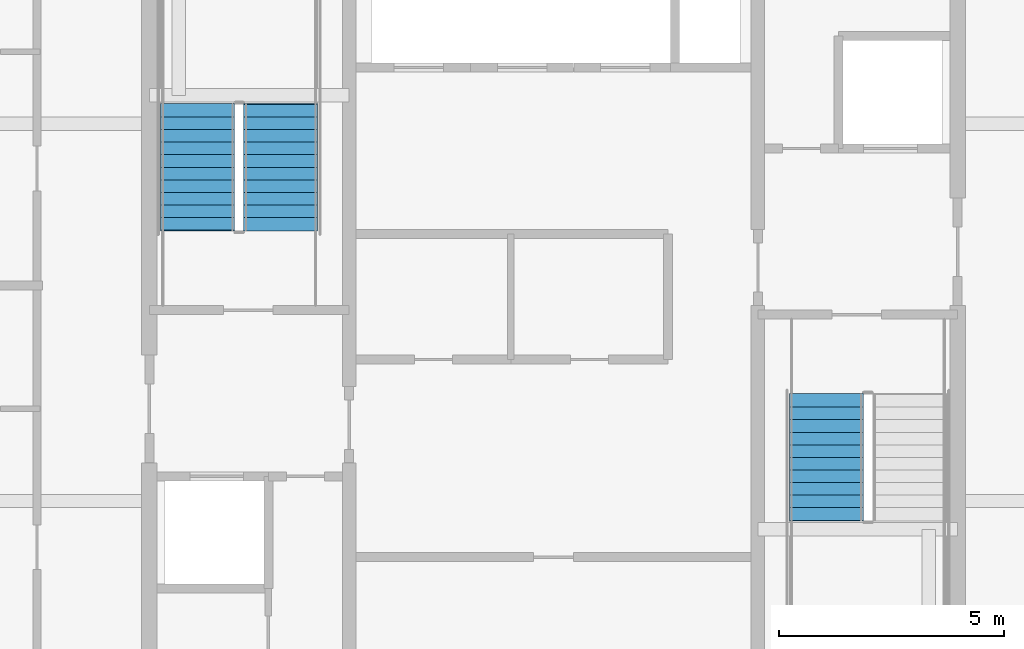
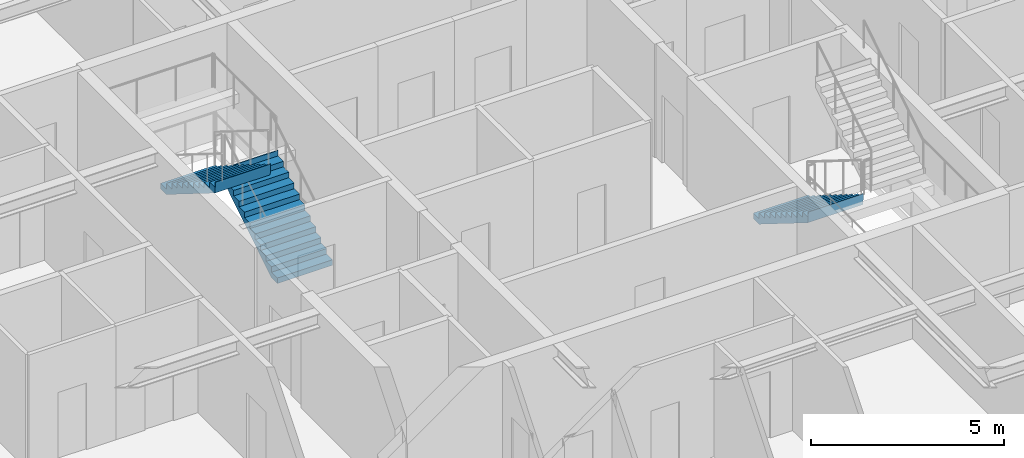
# One storey, part 32 of 38: 3 stair flights, 2 elements without a shape of their own.
"""IFC4 building model written with IfcOpenShell, lengths in metres."""

from ifc_helpers import new_model, si_unit, direction, frame, origin, place, context, subcontext, project, spatial, polygons, material, type_object, element, aggregate, save


model = new_model("IFC4")

# Units and contexts
model_context = context("Model", 3, precision=1e-05, world=origin(), true_north=direction((0.0, 1.0)))
body_context = subcontext(model_context, "Body", "Model", "MODEL_VIEW")
ifc_project = project(units=[si_unit("LENGTHUNIT", "METRE"), si_unit("AREAUNIT", "SQUARE_METRE"), si_unit("VOLUMEUNIT", "CUBIC_METRE"), si_unit("PLANEANGLEUNIT", "RADIAN"), si_unit("MASSUNIT", "GRAM", prefix="KILO")], contexts=[model_context])

# Site, building, storey
site_placement = place(None, origin())
site = spatial("IfcSite", under=ifc_project, at=site_placement, CompositionType="ELEMENT")
building_placement = place(site_placement, origin())
building = spatial("IfcBuilding", under=site, at=building_placement, Name="Serunith Strait Residences", CompositionType="ELEMENT")
storey_placement = place(building_placement, frame((0.0, 0.0, 245.10009765625)))
storey = spatial("IfcBuildingStorey", under=building, at=storey_placement, Name="L61", CompositionType="ELEMENT", Elevation=245.10009765625)

# Stair, stair flights
ifc_material = material(Name="Concrete C50/60", Category="concrete")
stair_type_1 = type_object("IfcStairType", Name="STR-CORE-1", PredefinedType="HALF_TURN_STAIR", material=ifc_material)
stair_1_placement = place(storey_placement, origin())
stair_1 = element("IfcStair", 1, at=stair_1_placement, inside=storey, type_object=stair_type_1, Name="L61 Protected Escape Stair ST-1", PredefinedType="HALF_TURN_STAIR")
stair_flight_type_1 = type_object("IfcStairFlightType", Name="FLT-CORE-1", PredefinedType="STRAIGHT", material=ifc_material)
stair_flight_1_placement = place(storey_placement, frame((26.324951171875, 27.030029296875, 0.0), z_axis=(0.0, 0.0, 1.0), x_axis=(0.0, 1.0, 0.0)))
stair_flight_1 = element("IfcStairFlight", 2, at=stair_flight_1_placement, type_object=stair_flight_type_1, Name="ST-1 flight 1", NumberOfRisers=11, NumberOfTreads=10, PredefinedType="STRAIGHT", RiserHeight=0.175, TreadLength=0.28, context=body_context, shape_type="Tessellation", body=[
    polygons([(-0.02001953125, -0.824951171875, 0.0), (-0.02001953125, -0.824951171875, 0.175048828125), (0.280029296875, -0.824951171875, 0.175048828125), (0.280029296875, -0.824951171875, 0.35009765625), (0.56005859375, -0.824951171875, 0.35009765625), (0.56005859375, -0.824951171875, 0.52490234375), (0.840087890625, -0.824951171875, 0.52490234375), (0.840087890625, -0.824951171875, 0.699951171875), (1.1201171875, -0.824951171875, 0.699951171875), (1.1201171875, -0.824951171875, 0.875), (1.39990234375, -0.824951171875, 0.875), (1.39990234375, -0.824951171875, 1.050048828125), (1.679931640625, -0.824951171875, 1.050048828125), (1.679931640625, -0.824951171875, 1.22509765625), (1.9599609375, -0.824951171875, 1.22509765625), (1.9599609375, -0.824951171875, 1.39990234375), (2.239990234375, -0.824951171875, 1.39990234375), (2.239990234375, -0.824951171875, 1.574951171875), (2.52001953125, -0.824951171875, 1.574951171875), (2.52001953125, -0.824951171875, 1.75), (2.800048828125, -0.824951171875, 1.75), (2.800048828125, -0.824951171875, 1.925048828125), (2.820068359375, -0.824951171875, 1.925048828125), (2.820068359375, -0.824951171875, 1.864990234375), (2.800048828125, -0.824951171875, 1.5732421875), (0.28271484375, -0.824951171875, 0.0), (-0.02001953125, -0.41259765625, 0.0), (-0.02001953125, -0.41259765625, 0.175048828125), (0.280029296875, -0.41259765625, 0.175048828125), (0.280029296875, -0.41259765625, 0.35009765625), (0.56005859375, -0.41259765625, 0.35009765625), (0.56005859375, -0.41259765625, 0.52490234375), (0.840087890625, -0.41259765625, 0.52490234375), (0.840087890625, -0.41259765625, 0.699951171875), (1.1201171875, -0.41259765625, 0.699951171875), (1.1201171875, -0.41259765625, 0.875), (1.39990234375, -0.41259765625, 0.875), (1.39990234375, -0.41259765625, 1.050048828125), (1.679931640625, -0.41259765625, 1.050048828125), (1.679931640625, -0.41259765625, 1.22509765625), (1.9599609375, -0.41259765625, 1.22509765625), (1.9599609375, -0.41259765625, 1.39990234375), (2.239990234375, -0.41259765625, 1.39990234375), (2.239990234375, -0.41259765625, 1.574951171875), (2.52001953125, -0.41259765625, 1.574951171875), (2.52001953125, -0.41259765625, 1.75), (2.800048828125, -0.41259765625, 1.75), (2.800048828125, -0.41259765625, 1.925048828125), (2.820068359375, -0.41259765625, 1.925048828125), (2.820068359375, -0.41259765625, 1.864990234375), (2.800048828125, -0.41259765625, 1.5732421875), (0.28271484375, -0.41259765625, 0.0), (-0.02001953125, 0.0, 0.0), (-0.02001953125, 0.0, 0.175048828125), (0.280029296875, 0.0, 0.175048828125), (0.280029296875, 0.0, 0.35009765625), (0.56005859375, 0.0, 0.35009765625), (0.56005859375, 0.0, 0.52490234375), (0.840087890625, 0.0, 0.52490234375), (0.840087890625, 0.0, 0.699951171875), (1.1201171875, 0.0, 0.699951171875), (1.1201171875, 0.0, 0.875), (1.39990234375, 0.0, 0.875), (1.39990234375, 0.0, 1.050048828125), (1.679931640625, 0.0, 1.050048828125), (1.679931640625, 0.0, 1.22509765625), (1.9599609375, 0.0, 1.22509765625), (1.9599609375, 0.0, 1.39990234375), (2.239990234375, 0.0, 1.39990234375), (2.239990234375, 0.0, 1.574951171875), (2.52001953125, 0.0, 1.574951171875), (2.52001953125, 0.0, 1.75), (2.800048828125, 0.0, 1.75), (2.800048828125, 0.0, 1.925048828125), (2.820068359375, 0.0, 1.925048828125), (2.820068359375, 0.0, 1.864990234375), (2.800048828125, 0.0, 1.5732421875), (0.28271484375, 0.0, 0.0), (-0.02001953125, 0.41259765625, 0.0), (-0.02001953125, 0.41259765625, 0.175048828125), (0.280029296875, 0.41259765625, 0.175048828125), (0.280029296875, 0.41259765625, 0.35009765625), (0.56005859375, 0.41259765625, 0.35009765625), (0.56005859375, 0.41259765625, 0.52490234375), (0.840087890625, 0.41259765625, 0.52490234375), (0.840087890625, 0.41259765625, 0.699951171875), (1.1201171875, 0.41259765625, 0.699951171875), (1.1201171875, 0.41259765625, 0.875), (1.39990234375, 0.41259765625, 0.875), (1.39990234375, 0.41259765625, 1.050048828125), (1.679931640625, 0.41259765625, 1.050048828125), (1.679931640625, 0.41259765625, 1.22509765625), (1.9599609375, 0.41259765625, 1.22509765625), (1.9599609375, 0.41259765625, 1.39990234375), (2.239990234375, 0.41259765625, 1.39990234375), (2.239990234375, 0.41259765625, 1.574951171875), (2.52001953125, 0.41259765625, 1.574951171875), (2.52001953125, 0.41259765625, 1.75), (2.800048828125, 0.41259765625, 1.75), (2.800048828125, 0.41259765625, 1.925048828125), (2.820068359375, 0.41259765625, 1.925048828125), (2.820068359375, 0.41259765625, 1.864990234375), (2.800048828125, 0.41259765625, 1.5732421875), (0.28271484375, 0.41259765625, 0.0), (-0.02001953125, 0.824951171875, 0.0), (-0.02001953125, 0.824951171875, 0.175048828125), (0.280029296875, 0.824951171875, 0.175048828125), (0.280029296875, 0.824951171875, 0.35009765625), (0.56005859375, 0.824951171875, 0.35009765625), (0.56005859375, 0.824951171875, 0.52490234375), (0.840087890625, 0.824951171875, 0.52490234375), (0.840087890625, 0.824951171875, 0.699951171875), (1.1201171875, 0.824951171875, 0.699951171875), (1.1201171875, 0.824951171875, 0.875), (1.39990234375, 0.824951171875, 0.875), (1.39990234375, 0.824951171875, 1.050048828125), (1.679931640625, 0.824951171875, 1.050048828125), (1.679931640625, 0.824951171875, 1.22509765625), (1.9599609375, 0.824951171875, 1.22509765625), (1.9599609375, 0.824951171875, 1.39990234375), (2.239990234375, 0.824951171875, 1.39990234375), (2.239990234375, 0.824951171875, 1.574951171875), (2.52001953125, 0.824951171875, 1.574951171875), (2.52001953125, 0.824951171875, 1.75), (2.800048828125, 0.824951171875, 1.75), (2.800048828125, 0.824951171875, 1.925048828125), (2.820068359375, 0.824951171875, 1.925048828125), (2.820068359375, 0.824951171875, 1.864990234375), (2.800048828125, 0.824951171875, 1.5732421875), (0.28271484375, 0.824951171875, 0.0)], [[[1, 2, 28, 27]], [[2, 3, 29, 28]], [[3, 4, 30, 29]], [[4, 5, 31, 30]], [[5, 6, 32, 31]], [[6, 7, 33, 32]], [[7, 8, 34, 33]], [[8, 9, 35, 34]], [[9, 10, 36, 35]], [[10, 11, 37, 36]], [[11, 12, 38, 37]], [[12, 13, 39, 38]], [[13, 14, 40, 39]], [[14, 15, 41, 40]], [[15, 16, 42, 41]], [[16, 17, 43, 42]], [[17, 18, 44, 43]], [[18, 19, 45, 44]], [[19, 20, 46, 45]], [[20, 21, 47, 46]], [[21, 22, 48, 47]], [[22, 23, 49, 48]], [[23, 24, 50, 49]], [[24, 25, 51, 50]], [[25, 26, 52, 51]], [[26, 1, 27, 52]], [[27, 28, 54, 53]], [[28, 29, 55, 54]], [[29, 30, 56, 55]], [[30, 31, 57, 56]], [[31, 32, 58, 57]], [[32, 33, 59, 58]], [[33, 34, 60, 59]], [[34, 35, 61, 60]], [[35, 36, 62, 61]], [[36, 37, 63, 62]], [[37, 38, 64, 63]], [[38, 39, 65, 64]], [[39, 40, 66, 65]], [[40, 41, 67, 66]], [[41, 42, 68, 67]], [[42, 43, 69, 68]], [[43, 44, 70, 69]], [[44, 45, 71, 70]], [[45, 46, 72, 71]], [[46, 47, 73, 72]], [[47, 48, 74, 73]], [[48, 49, 75, 74]], [[49, 50, 76, 75]], [[50, 51, 77, 76]], [[51, 52, 78, 77]], [[52, 27, 53, 78]], [[53, 54, 80, 79]], [[54, 55, 81, 80]], [[55, 56, 82, 81]], [[56, 57, 83, 82]], [[57, 58, 84, 83]], [[58, 59, 85, 84]], [[59, 60, 86, 85]], [[60, 61, 87, 86]], [[61, 62, 88, 87]], [[62, 63, 89, 88]], [[63, 64, 90, 89]], [[64, 65, 91, 90]], [[65, 66, 92, 91]], [[66, 67, 93, 92]], [[67, 68, 94, 93]], [[68, 69, 95, 94]], [[69, 70, 96, 95]], [[70, 71, 97, 96]], [[71, 72, 98, 97]], [[72, 73, 99, 98]], [[73, 74, 100, 99]], [[74, 75, 101, 100]], [[75, 76, 102, 101]], [[76, 77, 103, 102]], [[77, 78, 104, 103]], [[78, 53, 79, 104]], [[79, 80, 106, 105]], [[80, 81, 107, 106]], [[81, 82, 108, 107]], [[82, 83, 109, 108]], [[83, 84, 110, 109]], [[84, 85, 111, 110]], [[85, 86, 112, 111]], [[86, 87, 113, 112]], [[87, 88, 114, 113]], [[88, 89, 115, 114]], [[89, 90, 116, 115]], [[90, 91, 117, 116]], [[91, 92, 118, 117]], [[92, 93, 119, 118]], [[93, 94, 120, 119]], [[94, 95, 121, 120]], [[95, 96, 122, 121]], [[96, 97, 123, 122]], [[97, 98, 124, 123]], [[98, 99, 125, 124]], [[99, 100, 126, 125]], [[100, 101, 127, 126]], [[101, 102, 128, 127]], [[102, 103, 129, 128]], [[103, 104, 130, 129]], [[104, 79, 105, 130]], [[26, 25, 24, 23, 22, 21, 20, 19, 18, 17, 16, 15, 14, 13, 12, 11, 10, 9, 8, 7, 6, 5, 4, 3, 2, 1]], [[105, 106, 107, 108, 109, 110, 111, 112, 113, 114, 115, 116, 117, 118, 119, 120, 121, 122, 123, 124, 125, 126, 127, 128, 129, 130]]], closed=True),
])
stair_flight_2_placement = place(storey_placement, frame((24.47509765625, 29.830078125, 1.9248046875), z_axis=(0.0, 0.0, 1.0), x_axis=(0.0, -1.0, 0.0)))
stair_flight_2 = element("IfcStairFlight", 3, at=stair_flight_2_placement, type_object=stair_flight_type_1, Name="ST-1 flight 2", NumberOfRisers=11, NumberOfTreads=10, PredefinedType="STRAIGHT", RiserHeight=0.175, TreadLength=0.28, context=body_context, shape_type="Tessellation", body=[
    polygons([(-0.02001953125, -0.824951171875, 0.0), (-0.02001953125, -0.824951171875, 0.175048828125), (0.280029296875, -0.824951171875, 0.175048828125), (0.280029296875, -0.824951171875, 0.35009765625), (0.56005859375, -0.824951171875, 0.35009765625), (0.56005859375, -0.824951171875, 0.52490234375), (0.840087890625, -0.824951171875, 0.52490234375), (0.840087890625, -0.824951171875, 0.699951171875), (1.1201171875, -0.824951171875, 0.699951171875), (1.1201171875, -0.824951171875, 0.875), (1.39990234375, -0.824951171875, 0.875), (1.39990234375, -0.824951171875, 1.050048828125), (1.679931640625, -0.824951171875, 1.050048828125), (1.679931640625, -0.824951171875, 1.22509765625), (1.9599609375, -0.824951171875, 1.22509765625), (1.9599609375, -0.824951171875, 1.39990234375), (2.239990234375, -0.824951171875, 1.39990234375), (2.239990234375, -0.824951171875, 1.574951171875), (2.52001953125, -0.824951171875, 1.574951171875), (2.52001953125, -0.824951171875, 1.75), (2.800048828125, -0.824951171875, 1.75), (2.800048828125, -0.824951171875, 1.925048828125), (2.820068359375, -0.824951171875, 1.925048828125), (2.820068359375, -0.824951171875, 1.864990234375), (2.800048828125, -0.824951171875, 1.5732421875), (0.28271484375, -0.824951171875, 0.0), (-0.02001953125, -0.41259765625, 0.0), (-0.02001953125, -0.41259765625, 0.175048828125), (0.280029296875, -0.41259765625, 0.175048828125), (0.280029296875, -0.41259765625, 0.35009765625), (0.56005859375, -0.41259765625, 0.35009765625), (0.56005859375, -0.41259765625, 0.52490234375), (0.840087890625, -0.41259765625, 0.52490234375), (0.840087890625, -0.41259765625, 0.699951171875), (1.1201171875, -0.41259765625, 0.699951171875), (1.1201171875, -0.41259765625, 0.875), (1.39990234375, -0.41259765625, 0.875), (1.39990234375, -0.41259765625, 1.050048828125), (1.679931640625, -0.41259765625, 1.050048828125), (1.679931640625, -0.41259765625, 1.22509765625), (1.9599609375, -0.41259765625, 1.22509765625), (1.9599609375, -0.41259765625, 1.39990234375), (2.239990234375, -0.41259765625, 1.39990234375), (2.239990234375, -0.41259765625, 1.574951171875), (2.52001953125, -0.41259765625, 1.574951171875), (2.52001953125, -0.41259765625, 1.75), (2.800048828125, -0.41259765625, 1.75), (2.800048828125, -0.41259765625, 1.925048828125), (2.820068359375, -0.41259765625, 1.925048828125), (2.820068359375, -0.41259765625, 1.864990234375), (2.800048828125, -0.41259765625, 1.5732421875), (0.28271484375, -0.41259765625, 0.0), (-0.02001953125, 0.0, 0.0), (-0.02001953125, 0.0, 0.175048828125), (0.280029296875, 0.0, 0.175048828125), (0.280029296875, 0.0, 0.35009765625), (0.56005859375, 0.0, 0.35009765625), (0.56005859375, 0.0, 0.52490234375), (0.840087890625, 0.0, 0.52490234375), (0.840087890625, 0.0, 0.699951171875), (1.1201171875, 0.0, 0.699951171875), (1.1201171875, 0.0, 0.875), (1.39990234375, 0.0, 0.875), (1.39990234375, 0.0, 1.050048828125), (1.679931640625, 0.0, 1.050048828125), (1.679931640625, 0.0, 1.22509765625), (1.9599609375, 0.0, 1.22509765625), (1.9599609375, 0.0, 1.39990234375), (2.239990234375, 0.0, 1.39990234375), (2.239990234375, 0.0, 1.574951171875), (2.52001953125, 0.0, 1.574951171875), (2.52001953125, 0.0, 1.75), (2.800048828125, 0.0, 1.75), (2.800048828125, 0.0, 1.925048828125), (2.820068359375, 0.0, 1.925048828125), (2.820068359375, 0.0, 1.864990234375), (2.800048828125, 0.0, 1.5732421875), (0.28271484375, 0.0, 0.0), (-0.02001953125, 0.41259765625, 0.0), (-0.02001953125, 0.41259765625, 0.175048828125), (0.280029296875, 0.41259765625, 0.175048828125), (0.280029296875, 0.41259765625, 0.35009765625), (0.56005859375, 0.41259765625, 0.35009765625), (0.56005859375, 0.41259765625, 0.52490234375), (0.840087890625, 0.41259765625, 0.52490234375), (0.840087890625, 0.41259765625, 0.699951171875), (1.1201171875, 0.41259765625, 0.699951171875), (1.1201171875, 0.41259765625, 0.875), (1.39990234375, 0.41259765625, 0.875), (1.39990234375, 0.41259765625, 1.050048828125), (1.679931640625, 0.41259765625, 1.050048828125), (1.679931640625, 0.41259765625, 1.22509765625), (1.9599609375, 0.41259765625, 1.22509765625), (1.9599609375, 0.41259765625, 1.39990234375), (2.239990234375, 0.41259765625, 1.39990234375), (2.239990234375, 0.41259765625, 1.574951171875), (2.52001953125, 0.41259765625, 1.574951171875), (2.52001953125, 0.41259765625, 1.75), (2.800048828125, 0.41259765625, 1.75), (2.800048828125, 0.41259765625, 1.925048828125), (2.820068359375, 0.41259765625, 1.925048828125), (2.820068359375, 0.41259765625, 1.864990234375), (2.800048828125, 0.41259765625, 1.5732421875), (0.28271484375, 0.41259765625, 0.0), (-0.02001953125, 0.824951171875, 0.0), (-0.02001953125, 0.824951171875, 0.175048828125), (0.280029296875, 0.824951171875, 0.175048828125), (0.280029296875, 0.824951171875, 0.35009765625), (0.56005859375, 0.824951171875, 0.35009765625), (0.56005859375, 0.824951171875, 0.52490234375), (0.840087890625, 0.824951171875, 0.52490234375), (0.840087890625, 0.824951171875, 0.699951171875), (1.1201171875, 0.824951171875, 0.699951171875), (1.1201171875, 0.824951171875, 0.875), (1.39990234375, 0.824951171875, 0.875), (1.39990234375, 0.824951171875, 1.050048828125), (1.679931640625, 0.824951171875, 1.050048828125), (1.679931640625, 0.824951171875, 1.22509765625), (1.9599609375, 0.824951171875, 1.22509765625), (1.9599609375, 0.824951171875, 1.39990234375), (2.239990234375, 0.824951171875, 1.39990234375), (2.239990234375, 0.824951171875, 1.574951171875), (2.52001953125, 0.824951171875, 1.574951171875), (2.52001953125, 0.824951171875, 1.75), (2.800048828125, 0.824951171875, 1.75), (2.800048828125, 0.824951171875, 1.925048828125), (2.820068359375, 0.824951171875, 1.925048828125), (2.820068359375, 0.824951171875, 1.864990234375), (2.800048828125, 0.824951171875, 1.5732421875), (0.28271484375, 0.824951171875, 0.0)], [[[1, 2, 28, 27]], [[2, 3, 29, 28]], [[3, 4, 30, 29]], [[4, 5, 31, 30]], [[5, 6, 32, 31]], [[6, 7, 33, 32]], [[7, 8, 34, 33]], [[8, 9, 35, 34]], [[9, 10, 36, 35]], [[10, 11, 37, 36]], [[11, 12, 38, 37]], [[12, 13, 39, 38]], [[13, 14, 40, 39]], [[14, 15, 41, 40]], [[15, 16, 42, 41]], [[16, 17, 43, 42]], [[17, 18, 44, 43]], [[18, 19, 45, 44]], [[19, 20, 46, 45]], [[20, 21, 47, 46]], [[21, 22, 48, 47]], [[22, 23, 49, 48]], [[23, 24, 50, 49]], [[24, 25, 51, 50]], [[25, 26, 52, 51]], [[26, 1, 27, 52]], [[27, 28, 54, 53]], [[28, 29, 55, 54]], [[29, 30, 56, 55]], [[30, 31, 57, 56]], [[31, 32, 58, 57]], [[32, 33, 59, 58]], [[33, 34, 60, 59]], [[34, 35, 61, 60]], [[35, 36, 62, 61]], [[36, 37, 63, 62]], [[37, 38, 64, 63]], [[38, 39, 65, 64]], [[39, 40, 66, 65]], [[40, 41, 67, 66]], [[41, 42, 68, 67]], [[42, 43, 69, 68]], [[43, 44, 70, 69]], [[44, 45, 71, 70]], [[45, 46, 72, 71]], [[46, 47, 73, 72]], [[47, 48, 74, 73]], [[48, 49, 75, 74]], [[49, 50, 76, 75]], [[50, 51, 77, 76]], [[51, 52, 78, 77]], [[52, 27, 53, 78]], [[53, 54, 80, 79]], [[54, 55, 81, 80]], [[55, 56, 82, 81]], [[56, 57, 83, 82]], [[57, 58, 84, 83]], [[58, 59, 85, 84]], [[59, 60, 86, 85]], [[60, 61, 87, 86]], [[61, 62, 88, 87]], [[62, 63, 89, 88]], [[63, 64, 90, 89]], [[64, 65, 91, 90]], [[65, 66, 92, 91]], [[66, 67, 93, 92]], [[67, 68, 94, 93]], [[68, 69, 95, 94]], [[69, 70, 96, 95]], [[70, 71, 97, 96]], [[71, 72, 98, 97]], [[72, 73, 99, 98]], [[73, 74, 100, 99]], [[74, 75, 101, 100]], [[75, 76, 102, 101]], [[76, 77, 103, 102]], [[77, 78, 104, 103]], [[78, 53, 79, 104]], [[79, 80, 106, 105]], [[80, 81, 107, 106]], [[81, 82, 108, 107]], [[82, 83, 109, 108]], [[83, 84, 110, 109]], [[84, 85, 111, 110]], [[85, 86, 112, 111]], [[86, 87, 113, 112]], [[87, 88, 114, 113]], [[88, 89, 115, 114]], [[89, 90, 116, 115]], [[90, 91, 117, 116]], [[91, 92, 118, 117]], [[92, 93, 119, 118]], [[93, 94, 120, 119]], [[94, 95, 121, 120]], [[95, 96, 122, 121]], [[96, 97, 123, 122]], [[97, 98, 124, 123]], [[98, 99, 125, 124]], [[99, 100, 126, 125]], [[100, 101, 127, 126]], [[101, 102, 128, 127]], [[102, 103, 129, 128]], [[103, 104, 130, 129]], [[104, 79, 105, 130]], [[26, 25, 24, 23, 22, 21, 20, 19, 18, 17, 16, 15, 14, 13, 12, 11, 10, 9, 8, 7, 6, 5, 4, 3, 2, 1]], [[105, 106, 107, 108, 109, 110, 111, 112, 113, 114, 115, 116, 117, 118, 119, 120, 121, 122, 123, 124, 125, 126, 127, 128, 129, 130]]], closed=True),
])
aggregate(stair_1, [stair_flight_1, stair_flight_2])

# Stair, stair flight
stair_type_2 = type_object("IfcStairType", Name="STR-CORE-2", PredefinedType="HALF_TURN_STAIR", material=ifc_material)
stair_2_placement = place(storey_placement, origin())
stair_2 = element("IfcStair", 4, at=stair_2_placement, inside=storey, type_object=stair_type_2, Name="L61 Protected Escape Stair ST-2", PredefinedType="HALF_TURN_STAIR")
stair_flight_type_2 = type_object("IfcStairFlightType", Name="FLT-CORE-2", PredefinedType="STRAIGHT", material=ifc_material)
stair_flight_3_placement = place(storey_placement, frame((38.47509765625, 23.3701171875, 0.0), z_axis=(0.0, 0.0, 1.0), x_axis=(0.0, -1.0, 0.0)))
stair_flight_3 = element("IfcStairFlight", 5, at=stair_flight_3_placement, type_object=stair_flight_type_2, Name="ST-2 flight 1", NumberOfRisers=11, NumberOfTreads=10, PredefinedType="STRAIGHT", RiserHeight=0.175, TreadLength=0.28, context=body_context, shape_type="Tessellation", body=[
    polygons([(-0.02001953125, -0.824951171875, 0.0), (-0.02001953125, -0.824951171875, 0.175048828125), (0.280029296875, -0.824951171875, 0.175048828125), (0.280029296875, -0.824951171875, 0.35009765625), (0.56005859375, -0.824951171875, 0.35009765625), (0.56005859375, -0.824951171875, 0.52490234375), (0.840087890625, -0.824951171875, 0.52490234375), (0.840087890625, -0.824951171875, 0.699951171875), (1.1201171875, -0.824951171875, 0.699951171875), (1.1201171875, -0.824951171875, 0.875), (1.39990234375, -0.824951171875, 0.875), (1.39990234375, -0.824951171875, 1.050048828125), (1.679931640625, -0.824951171875, 1.050048828125), (1.679931640625, -0.824951171875, 1.22509765625), (1.9599609375, -0.824951171875, 1.22509765625), (1.9599609375, -0.824951171875, 1.39990234375), (2.239990234375, -0.824951171875, 1.39990234375), (2.239990234375, -0.824951171875, 1.574951171875), (2.52001953125, -0.824951171875, 1.574951171875), (2.52001953125, -0.824951171875, 1.75), (2.800048828125, -0.824951171875, 1.75), (2.800048828125, -0.824951171875, 1.925048828125), (2.820068359375, -0.824951171875, 1.925048828125), (2.820068359375, -0.824951171875, 1.864990234375), (2.800048828125, -0.824951171875, 1.5732421875), (0.28271484375, -0.824951171875, 0.0), (-0.02001953125, -0.41259765625, 0.0), (-0.02001953125, -0.41259765625, 0.175048828125), (0.280029296875, -0.41259765625, 0.175048828125), (0.280029296875, -0.41259765625, 0.35009765625), (0.56005859375, -0.41259765625, 0.35009765625), (0.56005859375, -0.41259765625, 0.52490234375), (0.840087890625, -0.41259765625, 0.52490234375), (0.840087890625, -0.41259765625, 0.699951171875), (1.1201171875, -0.41259765625, 0.699951171875), (1.1201171875, -0.41259765625, 0.875), (1.39990234375, -0.41259765625, 0.875), (1.39990234375, -0.41259765625, 1.050048828125), (1.679931640625, -0.41259765625, 1.050048828125), (1.679931640625, -0.41259765625, 1.22509765625), (1.9599609375, -0.41259765625, 1.22509765625), (1.9599609375, -0.41259765625, 1.39990234375), (2.239990234375, -0.41259765625, 1.39990234375), (2.239990234375, -0.41259765625, 1.574951171875), (2.52001953125, -0.41259765625, 1.574951171875), (2.52001953125, -0.41259765625, 1.75), (2.800048828125, -0.41259765625, 1.75), (2.800048828125, -0.41259765625, 1.925048828125), (2.820068359375, -0.41259765625, 1.925048828125), (2.820068359375, -0.41259765625, 1.864990234375), (2.800048828125, -0.41259765625, 1.5732421875), (0.28271484375, -0.41259765625, 0.0), (-0.02001953125, 0.0, 0.0), (-0.02001953125, 0.0, 0.175048828125), (0.280029296875, 0.0, 0.175048828125), (0.280029296875, 0.0, 0.35009765625), (0.56005859375, 0.0, 0.35009765625), (0.56005859375, 0.0, 0.52490234375), (0.840087890625, 0.0, 0.52490234375), (0.840087890625, 0.0, 0.699951171875), (1.1201171875, 0.0, 0.699951171875), (1.1201171875, 0.0, 0.875), (1.39990234375, 0.0, 0.875), (1.39990234375, 0.0, 1.050048828125), (1.679931640625, 0.0, 1.050048828125), (1.679931640625, 0.0, 1.22509765625), (1.9599609375, 0.0, 1.22509765625), (1.9599609375, 0.0, 1.39990234375), (2.239990234375, 0.0, 1.39990234375), (2.239990234375, 0.0, 1.574951171875), (2.52001953125, 0.0, 1.574951171875), (2.52001953125, 0.0, 1.75), (2.800048828125, 0.0, 1.75), (2.800048828125, 0.0, 1.925048828125), (2.820068359375, 0.0, 1.925048828125), (2.820068359375, 0.0, 1.864990234375), (2.800048828125, 0.0, 1.5732421875), (0.28271484375, 0.0, 0.0), (-0.02001953125, 0.41259765625, 0.0), (-0.02001953125, 0.41259765625, 0.175048828125), (0.280029296875, 0.41259765625, 0.175048828125), (0.280029296875, 0.41259765625, 0.35009765625), (0.56005859375, 0.41259765625, 0.35009765625), (0.56005859375, 0.41259765625, 0.52490234375), (0.840087890625, 0.41259765625, 0.52490234375), (0.840087890625, 0.41259765625, 0.699951171875), (1.1201171875, 0.41259765625, 0.699951171875), (1.1201171875, 0.41259765625, 0.875), (1.39990234375, 0.41259765625, 0.875), (1.39990234375, 0.41259765625, 1.050048828125), (1.679931640625, 0.41259765625, 1.050048828125), (1.679931640625, 0.41259765625, 1.22509765625), (1.9599609375, 0.41259765625, 1.22509765625), (1.9599609375, 0.41259765625, 1.39990234375), (2.239990234375, 0.41259765625, 1.39990234375), (2.239990234375, 0.41259765625, 1.574951171875), (2.52001953125, 0.41259765625, 1.574951171875), (2.52001953125, 0.41259765625, 1.75), (2.800048828125, 0.41259765625, 1.75), (2.800048828125, 0.41259765625, 1.925048828125), (2.820068359375, 0.41259765625, 1.925048828125), (2.820068359375, 0.41259765625, 1.864990234375), (2.800048828125, 0.41259765625, 1.5732421875), (0.28271484375, 0.41259765625, 0.0), (-0.02001953125, 0.824951171875, 0.0), (-0.02001953125, 0.824951171875, 0.175048828125), (0.280029296875, 0.824951171875, 0.175048828125), (0.280029296875, 0.824951171875, 0.35009765625), (0.56005859375, 0.824951171875, 0.35009765625), (0.56005859375, 0.824951171875, 0.52490234375), (0.840087890625, 0.824951171875, 0.52490234375), (0.840087890625, 0.824951171875, 0.699951171875), (1.1201171875, 0.824951171875, 0.699951171875), (1.1201171875, 0.824951171875, 0.875), (1.39990234375, 0.824951171875, 0.875), (1.39990234375, 0.824951171875, 1.050048828125), (1.679931640625, 0.824951171875, 1.050048828125), (1.679931640625, 0.824951171875, 1.22509765625), (1.9599609375, 0.824951171875, 1.22509765625), (1.9599609375, 0.824951171875, 1.39990234375), (2.239990234375, 0.824951171875, 1.39990234375), (2.239990234375, 0.824951171875, 1.574951171875), (2.52001953125, 0.824951171875, 1.574951171875), (2.52001953125, 0.824951171875, 1.75), (2.800048828125, 0.824951171875, 1.75), (2.800048828125, 0.824951171875, 1.925048828125), (2.820068359375, 0.824951171875, 1.925048828125), (2.820068359375, 0.824951171875, 1.864990234375), (2.800048828125, 0.824951171875, 1.5732421875), (0.28271484375, 0.824951171875, 0.0)], [[[1, 2, 28, 27]], [[2, 3, 29, 28]], [[3, 4, 30, 29]], [[4, 5, 31, 30]], [[5, 6, 32, 31]], [[6, 7, 33, 32]], [[7, 8, 34, 33]], [[8, 9, 35, 34]], [[9, 10, 36, 35]], [[10, 11, 37, 36]], [[11, 12, 38, 37]], [[12, 13, 39, 38]], [[13, 14, 40, 39]], [[14, 15, 41, 40]], [[15, 16, 42, 41]], [[16, 17, 43, 42]], [[17, 18, 44, 43]], [[18, 19, 45, 44]], [[19, 20, 46, 45]], [[20, 21, 47, 46]], [[21, 22, 48, 47]], [[22, 23, 49, 48]], [[23, 24, 50, 49]], [[24, 25, 51, 50]], [[25, 26, 52, 51]], [[26, 1, 27, 52]], [[27, 28, 54, 53]], [[28, 29, 55, 54]], [[29, 30, 56, 55]], [[30, 31, 57, 56]], [[31, 32, 58, 57]], [[32, 33, 59, 58]], [[33, 34, 60, 59]], [[34, 35, 61, 60]], [[35, 36, 62, 61]], [[36, 37, 63, 62]], [[37, 38, 64, 63]], [[38, 39, 65, 64]], [[39, 40, 66, 65]], [[40, 41, 67, 66]], [[41, 42, 68, 67]], [[42, 43, 69, 68]], [[43, 44, 70, 69]], [[44, 45, 71, 70]], [[45, 46, 72, 71]], [[46, 47, 73, 72]], [[47, 48, 74, 73]], [[48, 49, 75, 74]], [[49, 50, 76, 75]], [[50, 51, 77, 76]], [[51, 52, 78, 77]], [[52, 27, 53, 78]], [[53, 54, 80, 79]], [[54, 55, 81, 80]], [[55, 56, 82, 81]], [[56, 57, 83, 82]], [[57, 58, 84, 83]], [[58, 59, 85, 84]], [[59, 60, 86, 85]], [[60, 61, 87, 86]], [[61, 62, 88, 87]], [[62, 63, 89, 88]], [[63, 64, 90, 89]], [[64, 65, 91, 90]], [[65, 66, 92, 91]], [[66, 67, 93, 92]], [[67, 68, 94, 93]], [[68, 69, 95, 94]], [[69, 70, 96, 95]], [[70, 71, 97, 96]], [[71, 72, 98, 97]], [[72, 73, 99, 98]], [[73, 74, 100, 99]], [[74, 75, 101, 100]], [[75, 76, 102, 101]], [[76, 77, 103, 102]], [[77, 78, 104, 103]], [[78, 53, 79, 104]], [[79, 80, 106, 105]], [[80, 81, 107, 106]], [[81, 82, 108, 107]], [[82, 83, 109, 108]], [[83, 84, 110, 109]], [[84, 85, 111, 110]], [[85, 86, 112, 111]], [[86, 87, 113, 112]], [[87, 88, 114, 113]], [[88, 89, 115, 114]], [[89, 90, 116, 115]], [[90, 91, 117, 116]], [[91, 92, 118, 117]], [[92, 93, 119, 118]], [[93, 94, 120, 119]], [[94, 95, 121, 120]], [[95, 96, 122, 121]], [[96, 97, 123, 122]], [[97, 98, 124, 123]], [[98, 99, 125, 124]], [[99, 100, 126, 125]], [[100, 101, 127, 126]], [[101, 102, 128, 127]], [[102, 103, 129, 128]], [[103, 104, 130, 129]], [[104, 79, 105, 130]], [[26, 25, 24, 23, 22, 21, 20, 19, 18, 17, 16, 15, 14, 13, 12, 11, 10, 9, 8, 7, 6, 5, 4, 3, 2, 1]], [[105, 106, 107, 108, 109, 110, 111, 112, 113, 114, 115, 116, 117, 118, 119, 120, 121, 122, 123, 124, 125, 126, 127, 128, 129, 130]]], closed=True),
])
aggregate(stair_2, [stair_flight_3])

save(model, "model.ifc")
